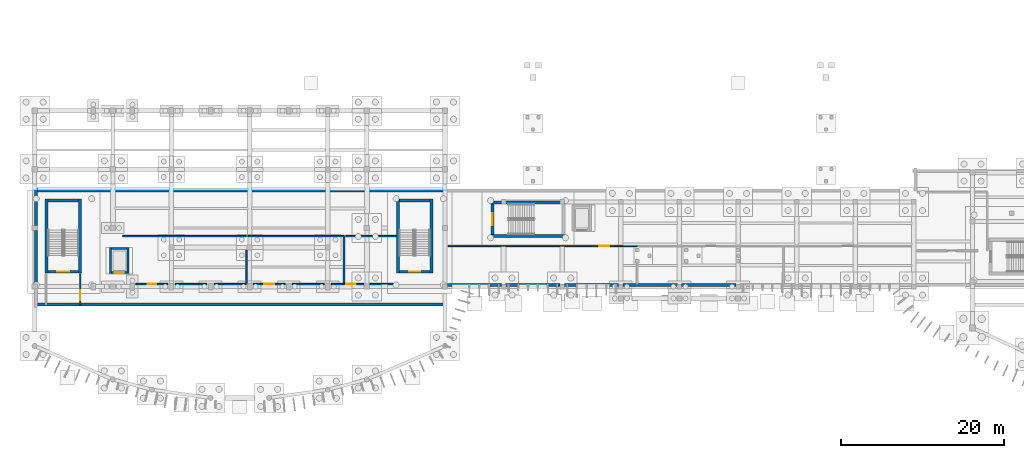
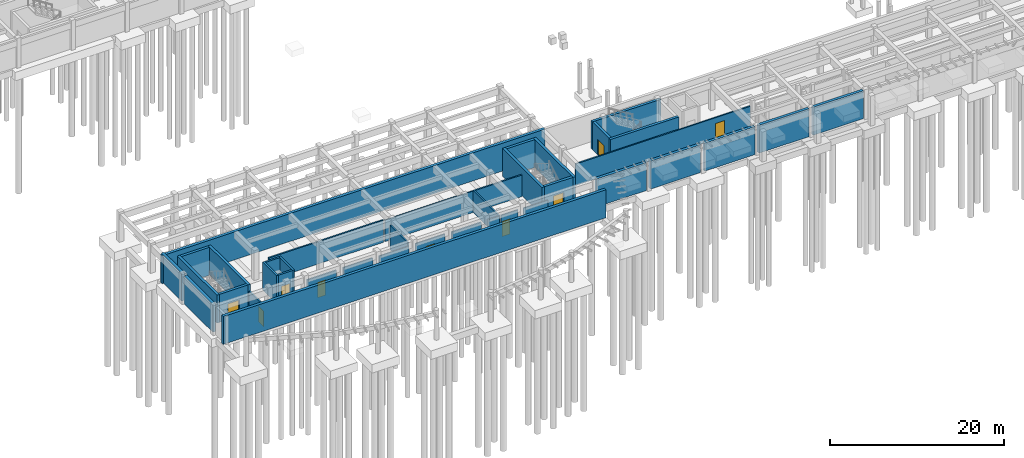
# One storey, part 16 of 31: 39 walls, 9 doors, 9 openings.
"""IFC4 building model written with IfcOpenShell, lengths in metres."""

from ifc_helpers import new_model, si_unit, direction, frame, frame_2d, origin, place, context, subcontext, project, spatial, rectangle, extrude, material, layer, layer_set, type_object, element, fill, save


model = new_model("IFC4")

# Units and contexts
model_context = context("Model", 3, precision=1e-05, world=origin(), true_north=direction((0.0, 1.0)))
body_context = subcontext(model_context, "Body", "Model", "MODEL_VIEW")
ifc_project = project(units=[si_unit("LENGTHUNIT", "METRE"), si_unit("AREAUNIT", "SQUARE_METRE"), si_unit("VOLUMEUNIT", "CUBIC_METRE"), si_unit("PLANEANGLEUNIT", "RADIAN"), si_unit("MASSUNIT", "GRAM", prefix="KILO")], contexts=[model_context])

# Site, building, storey
site_placement = place(None, origin())
site = spatial("IfcSite", under=ifc_project, at=site_placement, CompositionType="ELEMENT")
building_placement = place(site_placement, origin())
building = spatial("IfcBuilding", under=site, at=building_placement, Name="Brisavento Harbour Community Centre", CompositionType="ELEMENT")
storey_placement = place(building_placement, frame((0.0, 0.0, -4.199951171875)))
storey = spatial("IfcBuildingStorey", under=building, at=storey_placement, Name="B1", CompositionType="ELEMENT", Elevation=-4.199951171875)

# Walls
ifc_material_1 = material(Name="Concrete C35/45", Category="concrete")
ifc_layer_1 = layer(ifc_material_1, 0.3798828125, Name="Concrete C35/45")
ifc_layer_set_1 = layer_set([ifc_layer_1], Name="Concrete C35/45")
wall_type_1 = type_object("IfcWallType", Name="WL-B1-380", PredefinedType="SOLIDWALL", material=ifc_layer_set_1)
for number, where, z_axis, x_axis, name in (
    (1, (50.590087890625, 12.179931640625, 0.0), (0.0, 0.0, 1.0), (-1.0, 0.0, 0.0), "B1 perimeter retaining wall 0001"),
    (2, (-0.18994140625, 26.219970703125, 0.0), (0.0, 0.0, 1.0), (1.0, 0.0, 0.0), "B1 perimeter retaining wall 0002"),
):
    element("IfcWall", number, at=place(storey_placement, frame(where, z_axis=z_axis, x_axis=x_axis)), inside=storey, type_object=wall_type_1, Name=name, PredefinedType="SOLIDWALL", context=body_context, shape_type="SweptSolid", body=[
        extrude(rectangle(XDim=50.780029296875, YDim=0.3798828125, at=frame_2d((25.39013671875, 0.0))), origin(), (0.0, 0.0, 1.0), 3.919921875),
    ])
wall_1_placement = place(storey_placement, frame((0.179931640625, 14.7099609375, 0.0), z_axis=(0.0, 0.0, 1.0), x_axis=(0.0, 1.0, 0.0)))
element("IfcWall", 3, at=wall_1_placement, inside=storey, type_object=wall_type_1, Name="B1 perimeter retaining wall 0004", PredefinedType="SOLIDWALL", context=body_context, shape_type="SweptSolid", body=[
    extrude(rectangle(XDim=6.580078125, YDim=0.3798828125, at=frame_2d((3.2900390625, 0.0))), origin(), (0.0, 0.0, 1.0), 3.919921875),
])
wall_2_placement = place(storey_placement, frame((0.179931640625, 21.909912109375, 0.0), z_axis=(0.0, 0.0, 1.0), x_axis=(0.0, 1.0, 0.0)))
element("IfcWall", 4, at=wall_2_placement, inside=storey, type_object=wall_type_1, Name="B1 perimeter retaining wall 0005", PredefinedType="SOLIDWALL", context=body_context, shape_type="SweptSolid", body=[
    extrude(rectangle(XDim=4.68017578125, YDim=0.3798828125, at=frame_2d((2.340087890625, 0.0))), origin(), (0.0, 0.0, 1.0), 3.919921875),
])
for number, where, z_axis, x_axis, name in (
    (5, (86.139892578125, 14.580078125, 0.0), (0.0, 0.0, 1.0), (-1.0, 0.0, 0.0), "B1 perimeter retaining wall 0009"),
    (6, (78.93994140625, 14.580078125, 0.0), (0.0, 0.0, 1.0), (-1.0, 0.0, 0.0), "B1 perimeter retaining wall 0010"),
    (7, (71.739990234375, 14.580078125, 0.0), (0.0, 0.0, 1.0), (-1.0, 0.0, 0.0), "B1 perimeter retaining wall 0011"),
    (8, (64.5400390625, 14.580078125, 0.0), (0.0, 0.0, 1.0), (-1.0, 0.0, 0.0), "B1 perimeter retaining wall 0012"),
):
    element("IfcWall", number, at=place(storey_placement, frame(where, z_axis=z_axis, x_axis=x_axis)), inside=storey, type_object=wall_type_1, Name=name, PredefinedType="SOLIDWALL", context=body_context, shape_type="SweptSolid", body=[
        extrude(rectangle(XDim=6.679931640625, YDim=0.3798828125, at=frame_2d((3.33984375, 0.0))), origin(), (0.0, 0.0, 1.0), 3.919921875),
    ])
wall_3_placement = place(storey_placement, frame((57.340087890625, 14.580078125, 0.0), z_axis=(0.0, 0.0, 1.0), x_axis=(-1.0, 0.0, 0.0)))
element("IfcWall", 9, at=wall_3_placement, inside=storey, type_object=wall_type_1, Name="B1 perimeter retaining wall 0013", PredefinedType="SOLIDWALL", context=body_context, shape_type="SweptSolid", body=[
    extrude(rectangle(XDim=6.630126953125, YDim=0.3798828125, at=frame_2d((3.31494140625, 0.0))), origin(), (0.0, 0.0, 1.0), 3.919921875),
])
ifc_material_2 = material(Name="Concrete C40/50", Category="concrete")
ifc_layer_2 = layer(ifc_material_2, 0.35009765625, Name="Concrete C40/50")
ifc_layer_set_2 = layer_set([ifc_layer_2], Name="Concrete C40/50")
wall_type_2 = type_object("IfcWallType", Name="WL-CORE-350", PredefinedType="SHEAR", material=ifc_layer_set_2)
for number, where, z_axis, x_axis, name in (
    (10, (5.574951171875, 16.050048828125, 0.0), (0.0, 0.0, 1.0), (0.0, 1.0, 0.0), "B1 core C1 shear wall L"),
    (11, (1.47509765625, 25.14990234375, 0.0), (0.0, 0.0, 1.0), (0.0, -1.0, 0.0), "B1 core C1 shear wall R"),
):
    element("IfcWall", number, at=place(storey_placement, frame(where, z_axis=z_axis, x_axis=x_axis)), inside=storey, type_object=wall_type_2, Name=name, PredefinedType="SHEAR", context=body_context, shape_type="SweptSolid", body=[
        extrude(rectangle(XDim=9.099853515625, YDim=0.35009765625, at=frame_2d((4.5498046875, 0.0))), origin(), (0.0, 0.0, 1.0), 3.919921875),
    ])
wall_4_placement = place(storey_placement, frame((5.39990234375, 24.97509765625, 0.0), z_axis=(0.0, 0.0, 1.0), x_axis=(-1.0, 0.0, 0.0)))
element("IfcWall", 12, at=wall_4_placement, inside=storey, type_object=wall_type_2, Name="B1 core C1 shear wall F", PredefinedType="SHEAR", context=body_context, shape_type="SweptSolid", body=[
    extrude(rectangle(XDim=3.75, YDim=0.35009765625, at=frame_2d((1.875, 0.0))), origin(), (0.0, 0.0, 1.0), 3.919921875),
])

# Wall, opening, door
wall_5_placement = place(storey_placement, frame((1.64990234375, 16.22509765625, 0.0), z_axis=(0.0, 0.0, 1.0), x_axis=(1.0, 0.0, 0.0)))
wall_5 = element("IfcWall", 13, at=wall_5_placement, inside=storey, type_object=wall_type_2, Name="B1 core C1 shear wall N", PredefinedType="SHEAR", context=body_context, shape_type="SweptSolid", body=[
    extrude(rectangle(XDim=3.75, YDim=0.35009765625, at=frame_2d((1.875, 0.0))), origin(), (0.0, 0.0, 1.0), 3.919921875),
])
opening_1_placement = place(wall_5_placement, frame((1.125, 0.0, 0.0)))
opening_1 = element("IfcOpeningElement", 14, at=opening_1_placement, cuts=wall_5, Name="Opening SD-01", PredefinedType="OPENING", context=body_context, shape_type="SweptSolid", body=[
    extrude(rectangle(XDim=1.5, YDim=2.199951171875, at=frame_2d((0.75, 1.10009765625))), frame((0.0, 0.18505859375, 0.0), z_axis=(0.0, -1.0, 0.0), x_axis=(1.0, 0.0, 0.0)), (0.0, 0.0, 1.0), 0.3701171875),
])
ifc_material_3 = material(Name="Fire-rated steel door assembly", Category="steel")
door_type_1 = type_object("IfcDoorType", Name="DR-STAIR-150x220", OperationType="NOTDEFINED", PredefinedType="DOOR", material=ifc_material_3)
door_1_placement = place(opening_1_placement, origin())
door_1 = element("IfcDoor", 15, at=door_1_placement, inside=storey, type_object=door_type_1, Name="B1 exit stair ST-01 fire door", OperationType="SINGLE_SWING_RIGHT", OverallHeight=2.199951171875, OverallWidth=1.5, PredefinedType="DOOR", context=body_context, shape_type="SweptSolid", body=[
    extrude(rectangle(XDim=1.5, YDim=2.199951171875, at=frame_2d((0.75, 1.10009765625))), frame((0.0, 0.02490234375, 0.0), z_axis=(0.0, -1.0, 0.0), x_axis=(1.0, 0.0, 0.0)), (0.0, 0.0, 1.0), 0.050048828125),
])
fill(opening_1, door_1)

# Walls
for number, where, z_axis, x_axis, name in (
    (16, (48.72509765625, 16.050048828125, 0.0), (0.0, 0.0, 1.0), (0.0, 1.0, 0.0), "B1 core C1B shear wall L"),
    (17, (44.625, 25.14990234375, 0.0), (0.0, 0.0, 1.0), (0.0, -1.0, 0.0), "B1 core C1B shear wall R"),
):
    element("IfcWall", number, at=place(storey_placement, frame(where, z_axis=z_axis, x_axis=x_axis)), inside=storey, type_object=wall_type_2, Name=name, PredefinedType="SHEAR", context=body_context, shape_type="SweptSolid", body=[
        extrude(rectangle(XDim=9.099853515625, YDim=0.35009765625, at=frame_2d((4.5498046875, 0.0))), origin(), (0.0, 0.0, 1.0), 3.919921875),
    ])
wall_6_placement = place(storey_placement, frame((48.550048828125, 24.97509765625, 0.0), z_axis=(0.0, 0.0, 1.0), x_axis=(-1.0, 0.0, 0.0)))
element("IfcWall", 18, at=wall_6_placement, inside=storey, type_object=wall_type_2, Name="B1 core C1B shear wall F", PredefinedType="SHEAR", context=body_context, shape_type="SweptSolid", body=[
    extrude(rectangle(XDim=3.75, YDim=0.35009765625, at=frame_2d((1.875, 0.0))), origin(), (0.0, 0.0, 1.0), 3.919921875),
])

# Wall, opening, door
wall_7_placement = place(storey_placement, frame((44.800048828125, 16.22509765625, 0.0), z_axis=(0.0, 0.0, 1.0), x_axis=(1.0, 0.0, 0.0)))
wall_7 = element("IfcWall", 19, at=wall_7_placement, inside=storey, type_object=wall_type_2, Name="B1 core C1B shear wall N", PredefinedType="SHEAR", context=body_context, shape_type="SweptSolid", body=[
    extrude(rectangle(XDim=3.75, YDim=0.35009765625, at=frame_2d((1.875, 0.0))), origin(), (0.0, 0.0, 1.0), 3.919921875),
])
opening_2_placement = place(wall_7_placement, frame((1.199951171875, 0.0, 0.0)))
opening_2 = element("IfcOpeningElement", 20, at=opening_2_placement, cuts=wall_7, Name="Opening SD-02", PredefinedType="OPENING", context=body_context, shape_type="SweptSolid", body=[
    extrude(rectangle(XDim=1.35009765625, YDim=2.199951171875, at=frame_2d((0.675048828125, 1.10009765625))), frame((0.0, 0.18505859375, 0.0), z_axis=(0.0, -1.0, 0.0), x_axis=(1.0, 0.0, 0.0)), (0.0, 0.0, 1.0), 0.3701171875),
])
door_type_2 = type_object("IfcDoorType", Name="DR-STAIR-135x220", OperationType="NOTDEFINED", PredefinedType="DOOR", material=ifc_material_3)
door_2_placement = place(opening_2_placement, origin())
door_2 = element("IfcDoor", 21, at=door_2_placement, inside=storey, type_object=door_type_2, Name="B1 exit stair ST-02 fire door", OperationType="SINGLE_SWING_LEFT", OverallHeight=2.199951171875, OverallWidth=1.35009765625, PredefinedType="DOOR", context=body_context, shape_type="SweptSolid", body=[
    extrude(rectangle(XDim=1.35009765625, YDim=2.199951171875, at=frame_2d((0.675048828125, 1.10009765625))), frame((0.0, 0.02490234375, 0.0), z_axis=(0.0, -1.0, 0.0), x_axis=(1.0, 0.0, 0.0)), (0.0, 0.0, 1.0), 0.050048828125),
])
fill(opening_2, door_2)

# Walls
for number, where, z_axis, x_axis, name in (
    (22, (56.050048828125, 20.625, 0.0), (0.0, 0.0, 1.0), (1.0, 0.0, 0.0), "B1 core C2 shear wall L"),
    (23, (65.14990234375, 24.72509765625, 0.0), (0.0, 0.0, 1.0), (-1.0, 0.0, 0.0), "B1 core C2 shear wall R"),
):
    element("IfcWall", number, at=place(storey_placement, frame(where, z_axis=z_axis, x_axis=x_axis)), inside=storey, type_object=wall_type_2, Name=name, PredefinedType="SHEAR", context=body_context, shape_type="SweptSolid", body=[
        extrude(rectangle(XDim=9.099853515625, YDim=0.35009765625, at=frame_2d((4.5498046875, 0.0))), origin(), (0.0, 0.0, 1.0), 3.919921875),
    ])

# Wall, opening, door
wall_8_placement = place(storey_placement, frame((56.22509765625, 24.550048828125, 0.0), z_axis=(0.0, 0.0, 1.0), x_axis=(0.0, -1.0, 0.0)))
wall_8 = element("IfcWall", 24, at=wall_8_placement, inside=storey, type_object=wall_type_2, Name="B1 core C2 shear wall N", PredefinedType="SHEAR", context=body_context, shape_type="SweptSolid", body=[
    extrude(rectangle(XDim=3.75, YDim=0.35009765625, at=frame_2d((1.875, 0.0))), origin(), (0.0, 0.0, 1.0), 3.919921875),
])
opening_3_placement = place(wall_8_placement, frame((1.125, 0.0, 0.0)))
opening_3 = element("IfcOpeningElement", 25, at=opening_3_placement, cuts=wall_8, Name="Opening SD-01", PredefinedType="OPENING", context=body_context, shape_type="SweptSolid", body=[
    extrude(rectangle(XDim=1.5, YDim=2.199951171875, at=frame_2d((0.75, 1.10009765625))), frame((0.0, 0.18505859375, 0.0), z_axis=(0.0, -1.0, 0.0), x_axis=(1.0, 0.0, 0.0)), (0.0, 0.0, 1.0), 0.3701171875),
])
door_3_placement = place(opening_3_placement, origin())
door_3 = element("IfcDoor", 26, at=door_3_placement, inside=storey, type_object=door_type_1, Name="B1 exit stair ST-03 fire door", OperationType="SINGLE_SWING_RIGHT", OverallHeight=2.199951171875, OverallWidth=1.5, PredefinedType="DOOR", context=body_context, shape_type="SweptSolid", body=[
    extrude(rectangle(XDim=1.5, YDim=2.199951171875, at=frame_2d((0.75, 1.10009765625))), frame((0.0, 0.02490234375, 0.0), z_axis=(0.0, -1.0, 0.0), x_axis=(1.0, 0.0, 0.0)), (0.0, 0.0, 1.0), 0.050048828125),
])
fill(opening_3, door_3)

ifc_material_4 = material(Name="Concrete masonry blockwork", Category="masonry")
ifc_layer_3 = layer(ifc_material_4, 0.199951171875, Name="Concrete masonry blockwork")
ifc_layer_set_3 = layer_set([ifc_layer_3], Name="Concrete masonry blockwork")
wall_type_3 = type_object("IfcWallType", Name="WL-FIR-200", PredefinedType="PARTITIONING", material=ifc_layer_set_3)
wall_9_placement = place(storey_placement, frame((12.43994140625, 14.699951171875, 0.0), z_axis=(0.0, 0.0, 1.0), x_axis=(1.0, 0.0, 0.0)))
wall_9 = element("IfcWall", 27, at=wall_9_placement, inside=storey, type_object=wall_type_3, Name="B1 Central Chiller Plant Room partition 0003", PredefinedType="PARTITIONING", context=body_context, shape_type="SweptSolid", body=[
    extrude(rectangle(XDim=3.920166015625, YDim=0.199951171875, at=frame_2d((1.9599609375, 0.0))), origin(), (0.0, 0.0, 1.0), 3.02001953125),
])
opening_4_placement = place(wall_9_placement, frame((1.43505859375, 0.0, 0.0)))
opening_4 = element("IfcOpeningElement", 28, at=opening_4_placement, cuts=wall_9, Name="Opening FD-02", PredefinedType="OPENING", context=body_context, shape_type="SweptSolid", body=[
    extrude(rectangle(XDim=1.050048828125, YDim=2.14990234375, at=frame_2d((0.52490234375, 1.074951171875))), frame((0.0, 0.10986328125, 0.0), z_axis=(0.0, -1.0, 0.0), x_axis=(1.0, 0.0, 0.0)), (0.0, 0.0, 1.0), 0.219970703125),
])
ifc_material_5 = material(Name="Fire-rated hardwood door", Category="wood")
door_type_3 = type_object("IfcDoorType", Name="DR-FIRE-105x215", OperationType="NOTDEFINED", PredefinedType="DOOR", material=ifc_material_5)
door_4_placement = place(opening_4_placement, origin())
door_4 = element("IfcDoor", 29, at=door_4_placement, inside=storey, type_object=door_type_3, Name="B1 Central Chiller Plant Room door 0002", OperationType="SINGLE_SWING_LEFT", OverallHeight=2.14990234375, OverallWidth=1.050048828125, PredefinedType="DOOR", context=body_context, shape_type="SweptSolid", body=[
    extrude(rectangle(XDim=1.050048828125, YDim=2.14990234375, at=frame_2d((0.52490234375, 1.074951171875))), frame((0.0, 0.02490234375, 0.0), z_axis=(0.0, -1.0, 0.0), x_axis=(1.0, 0.0, 0.0)), (0.0, 0.0, 1.0), 0.050048828125),
])
fill(opening_4, door_4)

# Walls
wall_10_placement = place(storey_placement, frame((26.0, 20.60009765625, 0.0), z_axis=(0.0, 0.0, 1.0), x_axis=(-1.0, 0.0, 0.0)))
element("IfcWall", 30, at=wall_10_placement, inside=storey, type_object=wall_type_3, Name="B1 Central Chiller Plant Room partition 0006", PredefinedType="PARTITIONING", context=body_context, shape_type="SweptSolid", body=[
    extrude(rectangle(XDim=15.199951171875, YDim=0.199951171875, at=frame_2d((7.60009765625, 0.0))), origin(), (0.0, 0.0, 1.0), 3.119873046875),
])
wall_11_placement = place(storey_placement, frame((31.639892578125, 14.699951171875, 0.0), z_axis=(0.0, 0.0, 1.0), x_axis=(1.0, 0.0, 0.0)))
element("IfcWall", 31, at=wall_11_placement, inside=storey, type_object=wall_type_3, Name="B1 Fire Water Reserve Cistern partition 0009", PredefinedType="PARTITIONING", context=body_context, shape_type="SweptSolid", body=[
    extrude(rectangle(XDim=3.920166015625, YDim=0.199951171875, at=frame_2d((1.9599609375, 0.0))), origin(), (0.0, 0.0, 1.0), 3.02001953125),
])
wall_12_placement = place(storey_placement, frame((38.0, 14.699951171875, 0.0), z_axis=(0.0, 0.0, 1.0), x_axis=(0.0, 1.0, 0.0)))
element("IfcWall", 32, at=wall_12_placement, inside=storey, type_object=wall_type_3, Name="B1 Fire Water Reserve Cistern partition 0012", PredefinedType="PARTITIONING", context=body_context, shape_type="SweptSolid", body=[
    extrude(rectangle(XDim=5.900146484375, YDim=0.199951171875, at=frame_2d((2.9501953125, 0.0))), origin(), (0.0, 0.0, 1.0), 3.070068359375),
])
wall_13_placement = place(storey_placement, frame((44.389892578125, 20.60009765625, 0.0), z_axis=(0.0, 0.0, 1.0), x_axis=(-1.0, 0.0, 0.0)))
element("IfcWall", 33, at=wall_13_placement, inside=storey, type_object=wall_type_3, Name="B1 Building Maintenance Workshop partition 0015", PredefinedType="PARTITIONING", context=body_context, shape_type="SweptSolid", body=[
    extrude(rectangle(XDim=6.18994140625, YDim=0.199951171875, at=frame_2d((3.094970703125, 0.0))), origin(), (0.0, 0.0, 1.0), 3.02001953125),
])
ifc_material_6 = material(Name="Acoustic gypsum stud partition", Category="other")
ifc_layer_4 = layer(ifc_material_6, 0.159912109375, Name="Acoustic gypsum stud partition")
ifc_layer_set_4 = layer_set([ifc_layer_4], Name="Acoustic gypsum stud partition")
wall_type_4 = type_object("IfcWallType", Name="WL-PRT-160", PredefinedType="PARTITIONING", material=ifc_layer_set_4)
wall_14_placement = place(storey_placement, frame((22.0400390625, 14.699951171875, 0.0), z_axis=(0.0, 0.0, 1.0), x_axis=(1.0, 0.0, 0.0)))
element("IfcWall", 34, at=wall_14_placement, inside=storey, type_object=wall_type_4, Name="B1 Central Chiller Plant Room partition 0005", PredefinedType="PARTITIONING", context=body_context, shape_type="SweptSolid", body=[
    extrude(rectangle(XDim=3.919921875, YDim=0.159912109375, at=frame_2d((1.9599609375, 0.0))), origin(), (0.0, 0.0, 1.0), 3.02001953125),
])

# Wall, opening, door
wall_15_placement = place(storey_placement, frame((26.840087890625, 14.699951171875, 0.0), z_axis=(0.0, 0.0, 1.0), x_axis=(1.0, 0.0, 0.0)))
wall_15 = element("IfcWall", 35, at=wall_15_placement, inside=storey, type_object=wall_type_4, Name="B1 Fire Water Reserve Cistern partition 0008", PredefinedType="PARTITIONING", context=body_context, shape_type="SweptSolid", body=[
    extrude(rectangle(XDim=3.919921875, YDim=0.159912109375, at=frame_2d((1.9599609375, 0.0))), origin(), (0.0, 0.0, 1.0), 3.070068359375),
])
opening_5_placement = place(wall_15_placement, frame((1.360107421875, 0.0, 0.0)))
opening_5 = element("IfcOpeningElement", 36, at=opening_5_placement, cuts=wall_15, Name="Opening FD-01", PredefinedType="OPENING", context=body_context, shape_type="SweptSolid", body=[
    extrude(rectangle(XDim=1.199951171875, YDim=2.199951171875, at=frame_2d((0.60009765625, 1.10009765625))), frame((0.0, 0.08984375, 0.0), z_axis=(0.0, -1.0, 0.0), x_axis=(1.0, 0.0, 0.0)), (0.0, 0.0, 1.0), 0.179931640625),
])
door_type_4 = type_object("IfcDoorType", Name="DR-FIRE-120x220", OperationType="NOTDEFINED", PredefinedType="DOOR", material=ifc_material_5)
door_5_placement = place(opening_5_placement, origin())
door_5 = element("IfcDoor", 37, at=door_5_placement, inside=storey, type_object=door_type_4, Name="B1 Fire Water Reserve Cistern door 0003", OperationType="SINGLE_SWING_RIGHT", OverallHeight=2.199951171875, OverallWidth=1.199951171875, PredefinedType="DOOR", context=body_context, shape_type="SweptSolid", body=[
    extrude(rectangle(XDim=1.199951171875, YDim=2.199951171875, at=frame_2d((0.60009765625, 1.10009765625))), frame((0.0, 0.02490234375, 0.0), z_axis=(0.0, -1.0, 0.0), x_axis=(1.0, 0.0, 0.0)), (0.0, 0.0, 1.0), 0.050048828125),
])
fill(opening_5, door_5)

# Walls
wall_16_placement = place(storey_placement, frame((38.0, 20.60009765625, 0.0), z_axis=(0.0, 0.0, 1.0), x_axis=(-1.0, 0.0, 0.0)))
element("IfcWall", 38, at=wall_16_placement, inside=storey, type_object=wall_type_4, Name="B1 Fire Water Reserve Cistern partition 0011", PredefinedType="PARTITIONING", context=body_context, shape_type="SweptSolid", body=[
    extrude(rectangle(XDim=11.800048828125, YDim=0.159912109375, at=frame_2d((5.89990234375, 0.0))), origin(), (0.0, 0.0, 1.0), 3.02001953125),
])
wall_17_placement = place(storey_placement, frame((41.1650390625, 14.699951171875, 0.0), z_axis=(0.0, 0.0, 1.0), x_axis=(1.0, 0.0, 0.0)))
element("IfcWall", 39, at=wall_17_placement, inside=storey, type_object=wall_type_4, Name="B1 Building Maintenance Workshop partition 0014", PredefinedType="PARTITIONING", context=body_context, shape_type="SweptSolid", body=[
    extrude(rectangle(XDim=3.23486328125, YDim=0.159912109375, at=frame_2d((1.617431640625, 0.0))), origin(), (0.0, 0.0, 1.0), 3.02001953125),
])

# Wall, opening, door
ifc_layer_5 = layer(ifc_material_6, 0.179931640625, Name="Acoustic gypsum stud partition")
ifc_layer_set_5 = layer_set([ifc_layer_5], Name="Acoustic gypsum stud partition")
wall_type_5 = type_object("IfcWallType", Name="WL-PRT-180", PredefinedType="PARTITIONING", material=ifc_layer_set_5)
wall_18_placement = place(storey_placement, frame((5.60009765625, 12.199951171875, 0.0), z_axis=(0.0, 0.0, 1.0), x_axis=(0.0, 1.0, 0.0)))
wall_18 = element("IfcWall", 40, at=wall_18_placement, inside=storey, type_object=wall_type_5, Name="B1 Firefighting Lobby B1 partition 0001", PredefinedType="PARTITIONING", context=body_context, shape_type="SweptSolid", body=[
    extrude(rectangle(XDim=3.7900390625, YDim=0.179931640625, at=frame_2d((1.89501953125, 0.0))), origin(), (0.0, 0.0, 1.0), 3.070068359375),
])
opening_6_placement = place(wall_18_placement, frame((0.537109375, 0.0, 0.0)))
opening_6 = element("IfcOpeningElement", 41, at=opening_6_placement, cuts=wall_18, Name="Opening FD-01", PredefinedType="OPENING", context=body_context, shape_type="SweptSolid", body=[
    extrude(rectangle(XDim=1.199951171875, YDim=2.199951171875, at=frame_2d((0.60009765625, 1.10009765625))), frame((0.0, 0.10009765625, 0.0), z_axis=(0.0, -1.0, 0.0), x_axis=(1.0, 0.0, 0.0)), (0.0, 0.0, 1.0), 0.199951171875),
])
door_6_placement = place(opening_6_placement, origin())
door_6 = element("IfcDoor", 42, at=door_6_placement, inside=storey, type_object=door_type_4, Name="B1 Firefighting Lobby B1 door 0001", OperationType="SINGLE_SWING_LEFT", OverallHeight=2.199951171875, OverallWidth=1.199951171875, PredefinedType="DOOR", context=body_context, shape_type="SweptSolid", body=[
    extrude(rectangle(XDim=1.199951171875, YDim=2.199951171875, at=frame_2d((0.60009765625, 1.10009765625))), frame((0.0, 0.02490234375, 0.0), z_axis=(0.0, -1.0, 0.0), x_axis=(1.0, 0.0, 0.0)), (0.0, 0.0, 1.0), 0.050048828125),
])
fill(opening_6, door_6)

# Walls
wall_19_placement = place(storey_placement, frame((17.239990234375, 14.699951171875, 0.0), z_axis=(0.0, 0.0, 1.0), x_axis=(1.0, 0.0, 0.0)))
element("IfcWall", 43, at=wall_19_placement, inside=storey, type_object=wall_type_5, Name="B1 Central Chiller Plant Room partition 0004", PredefinedType="PARTITIONING", context=body_context, shape_type="SweptSolid", body=[
    extrude(rectangle(XDim=3.919921875, YDim=0.179931640625, at=frame_2d((1.9599609375, 0.0))), origin(), (0.0, 0.0, 1.0), 3.070068359375),
])
wall_20_placement = place(storey_placement, frame((26.0, 14.840087890625, 0.0), z_axis=(0.0, 0.0, 1.0), x_axis=(0.0, 1.0, 0.0)))
element("IfcWall", 44, at=wall_20_placement, inside=storey, type_object=wall_type_5, Name="B1 Central Chiller Plant Room partition 0007", PredefinedType="PARTITIONING", context=body_context, shape_type="SweptSolid", body=[
    extrude(rectangle(XDim=4.02001953125, YDim=0.179931640625, at=frame_2d((2.010009765625, 0.0))), origin(), (0.0, 0.0, 1.0), 3.419921875),
])
wall_21_placement = place(storey_placement, frame((36.43994140625, 14.699951171875, 0.0), z_axis=(0.0, 0.0, 1.0), x_axis=(1.0, 0.0, 0.0)))
element("IfcWall", 45, at=wall_21_placement, inside=storey, type_object=wall_type_5, Name="B1 Fire Water Reserve Cistern partition 0010", PredefinedType="PARTITIONING", context=body_context, shape_type="SweptSolid", body=[
    extrude(rectangle(XDim=1.56005859375, YDim=0.179931640625, at=frame_2d((0.780029296875, 0.0))), origin(), (0.0, 0.0, 1.0), 3.070068359375),
])

# Wall, opening, door
wall_22_placement = place(storey_placement, frame((38.199951171875, 14.699951171875, 0.0), z_axis=(0.0, 0.0, 1.0), x_axis=(1.0, 0.0, 0.0)))
wall_22 = element("IfcWall", 46, at=wall_22_placement, inside=storey, type_object=wall_type_5, Name="B1 Building Maintenance Workshop partition 0013", PredefinedType="PARTITIONING", context=body_context, shape_type="SweptSolid", body=[
    extrude(rectangle(XDim=2.235107421875, YDim=0.179931640625, at=frame_2d((1.11767578125, 0.0))), origin(), (0.0, 0.0, 1.0), 3.070068359375),
])
opening_7_placement = place(wall_22_placement, frame((0.159912109375, 0.0, 0.0)))
opening_7 = element("IfcOpeningElement", 47, at=opening_7_placement, cuts=wall_22, Name="Opening FD-02", PredefinedType="OPENING", context=body_context, shape_type="SweptSolid", body=[
    extrude(rectangle(XDim=1.050048828125, YDim=2.14990234375, at=frame_2d((0.52490234375, 1.074951171875))), frame((0.0, 0.10009765625, 0.0), z_axis=(0.0, -1.0, 0.0), x_axis=(1.0, 0.0, 0.0)), (0.0, 0.0, 1.0), 0.199951171875),
])
door_7_placement = place(opening_7_placement, origin())
door_7 = element("IfcDoor", 48, at=door_7_placement, inside=storey, type_object=door_type_3, Name="B1 Building Maintenance Workshop door 0004", OperationType="SINGLE_SWING_LEFT", OverallHeight=2.14990234375, OverallWidth=1.050048828125, PredefinedType="DOOR", context=body_context, shape_type="SweptSolid", body=[
    extrude(rectangle(XDim=1.050048828125, YDim=2.14990234375, at=frame_2d((0.52490234375, 1.074951171875))), frame((0.0, 0.02490234375, 0.0), z_axis=(0.0, -1.0, 0.0), x_axis=(1.0, 0.0, 0.0)), (0.0, 0.0, 1.0), 0.050048828125),
])
fill(opening_7, door_7)

wall_23_placement = place(storey_placement, frame((74.0, 19.39990234375, 0.0), z_axis=(0.0, 0.0, 1.0), x_axis=(-1.0, 0.0, 0.0)))
wall_23 = element("IfcWall", 49, at=wall_23_placement, inside=storey, type_object=wall_type_5, Name="B1 Harvested Rainwater Storage Cistern partition 0016", PredefinedType="PARTITIONING", context=body_context, shape_type="SweptSolid", body=[
    extrude(rectangle(XDim=23.199951171875, YDim=0.179931640625, at=frame_2d((11.60009765625, 0.0))), origin(), (0.0, 0.0, 1.0), 3.02001953125),
])
opening_8_placement = place(wall_23_placement, frame((3.43994140625, 0.0, 0.0)))
opening_8 = element("IfcOpeningElement", 50, at=opening_8_placement, cuts=wall_23, Name="Opening FD-01", PredefinedType="OPENING", context=body_context, shape_type="SweptSolid", body=[
    extrude(rectangle(XDim=1.199951171875, YDim=2.199951171875, at=frame_2d((0.60009765625, 1.10009765625))), frame((0.0, 0.10009765625, 0.0), z_axis=(0.0, -1.0, 0.0), x_axis=(1.0, 0.0, 0.0)), (0.0, 0.0, 1.0), 0.199951171875),
])
door_8_placement = place(opening_8_placement, origin())
door_8 = element("IfcDoor", 51, at=door_8_placement, inside=storey, type_object=door_type_4, Name="B1 Harvested Rainwater Storage Cistern door 0005", OperationType="SINGLE_SWING_RIGHT", OverallHeight=2.199951171875, OverallWidth=1.199951171875, PredefinedType="DOOR", context=body_context, shape_type="SweptSolid", body=[
    extrude(rectangle(XDim=1.199951171875, YDim=2.199951171875, at=frame_2d((0.60009765625, 1.10009765625))), frame((0.0, 0.02490234375, 0.0), z_axis=(0.0, -1.0, 0.0), x_axis=(1.0, 0.0, 0.0)), (0.0, 0.0, 1.0), 0.050048828125),
])
fill(opening_8, door_8)

# Walls
ifc_layer_6 = layer(ifc_material_1, 0.25, Name="Concrete C35/45")
ifc_layer_set_6 = layer_set([ifc_layer_6], Name="Concrete C35/45")
wall_type_6 = type_object("IfcWallType", Name="WL-SHF-250", PredefinedType="SOLIDWALL", material=ifc_layer_set_6)
for number, where, z_axis, x_axis, name in (
    (52, (9.324951171875, 16.0, 0.0), (0.0, 0.0, 1.0), (0.0, 1.0, 0.0), "B1 lift LC-01 shaft wall W"),
    (53, (11.47509765625, 19.199951171875, 0.0), (0.0, 0.0, 1.0), (0.0, -1.0, 0.0), "B1 lift LC-01 shaft wall E"),
):
    element("IfcWall", number, at=place(storey_placement, frame(where, z_axis=z_axis, x_axis=x_axis)), inside=storey, type_object=wall_type_6, Name=name, PredefinedType="SOLIDWALL", context=body_context, shape_type="SweptSolid", body=[
        extrude(rectangle(XDim=3.199951171875, YDim=0.25, at=frame_2d((1.60009765625, 0.0))), origin(), (0.0, 0.0, 1.0), 3.919921875),
    ])

# Wall, opening, door
wall_24_placement = place(storey_placement, frame((9.449951171875, 16.125, 0.0), z_axis=(0.0, 0.0, 1.0), x_axis=(1.0, 0.0, 0.0)))
wall_24 = element("IfcWall", 54, at=wall_24_placement, inside=storey, type_object=wall_type_6, Name="B1 lift LC-01 shaft wall S", PredefinedType="SOLIDWALL", context=body_context, shape_type="SweptSolid", body=[
    extrude(rectangle(XDim=1.900146484375, YDim=0.25, at=frame_2d((0.9501953125, 0.0))), origin(), (0.0, 0.0, 1.0), 3.919921875),
])
opening_9_placement = place(wall_24_placement, frame((0.39990234375, 0.0, 0.0)))
opening_9 = element("IfcOpeningElement", 55, at=opening_9_placement, cuts=wall_24, Name="Opening LD-01", PredefinedType="OPENING", context=body_context, shape_type="SweptSolid", body=[
    extrude(rectangle(XDim=1.10009765625, YDim=2.199951171875, at=frame_2d((0.550048828125, 1.10009765625))), frame((0.0, 0.135009765625, 0.0), z_axis=(0.0, -1.0, 0.0), x_axis=(1.0, 0.0, 0.0)), (0.0, 0.0, 1.0), 0.27001953125),
])
ifc_material_7 = material(Name="Stainless steel 1.4401", Category="steel")
door_type_5 = type_object("IfcDoorType", Name="DR-LIFT-110x220", OperationType="DOUBLE_DOOR_SLIDING", PredefinedType="DOOR", material=ifc_material_7)
door_9_placement = place(opening_9_placement, origin())
door_9 = element("IfcDoor", 56, at=door_9_placement, inside=storey, type_object=door_type_5, Name="B1 lift LC-01 landing sliding door", OperationType="DOUBLE_DOOR_SLIDING", OverallHeight=2.199951171875, OverallWidth=1.10009765625, PredefinedType="DOOR", context=body_context, shape_type="SweptSolid", body=[
    extrude(rectangle(XDim=1.10009765625, YDim=2.199951171875, at=frame_2d((0.550048828125, 1.10009765625))), frame((0.0, 0.02490234375, 0.0), z_axis=(0.0, -1.0, 0.0), x_axis=(1.0, 0.0, 0.0)), (0.0, 0.0, 1.0), 0.050048828125),
])
fill(opening_9, door_9)

# Wall
wall_25_placement = place(storey_placement, frame((11.35009765625, 19.074951171875, 0.0), z_axis=(0.0, 0.0, 1.0), x_axis=(-1.0, 0.0, 0.0)))
element("IfcWall", 57, at=wall_25_placement, inside=storey, type_object=wall_type_6, Name="B1 lift LC-01 shaft wall N", PredefinedType="SOLIDWALL", context=body_context, shape_type="SweptSolid", body=[
    extrude(rectangle(XDim=1.900146484375, YDim=0.25, at=frame_2d((0.9501953125, 0.0))), origin(), (0.0, 0.0, 1.0), 3.919921875),
])

save(model, "model.ifc")
